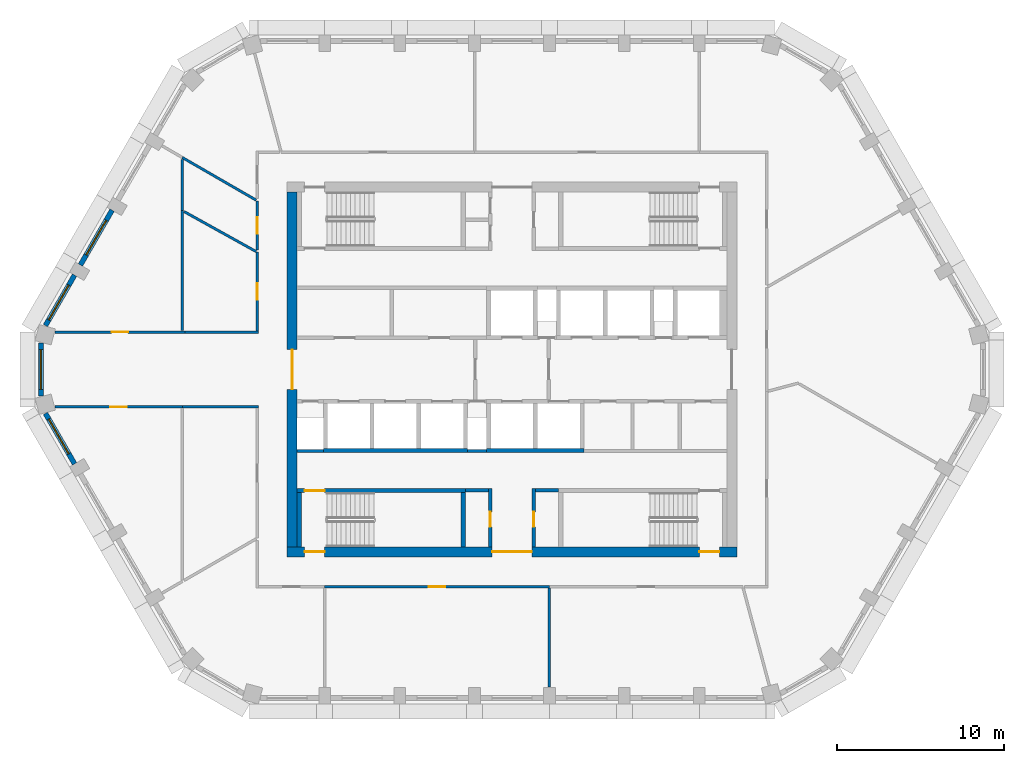
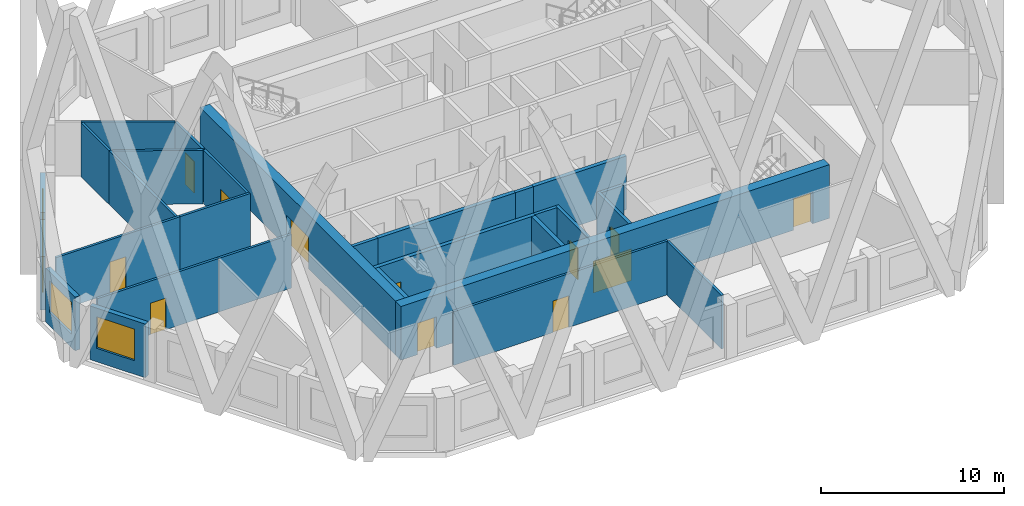
# One storey, part 2 of 13: 29 walls, 12 doors, 4 windows, 16 openings.
"""IFC4 building model written with IfcOpenShell, lengths in metres."""

from ifc_helpers import new_model, si_unit, direction, frame, frame_2d, origin, place, context, subcontext, project, spatial, polyline, rectangle, outline, extrude, material, layer, layer_set, type_object, element, fill, save


model = new_model("IFC4")

# Units and contexts
model_context = context("Model", 3, precision=1e-05, world=origin(), true_north=direction((0.0, 1.0)))
body_context = subcontext(model_context, "Body", "Model", "MODEL_VIEW")
ifc_project = project(units=[si_unit("LENGTHUNIT", "METRE"), si_unit("AREAUNIT", "SQUARE_METRE"), si_unit("VOLUMEUNIT", "CUBIC_METRE"), si_unit("PLANEANGLEUNIT", "RADIAN"), si_unit("MASSUNIT", "GRAM", prefix="KILO")], contexts=[model_context])

# Site, building, storey
site_placement = place(None, origin())
site = spatial("IfcSite", under=ifc_project, at=site_placement, CompositionType="ELEMENT")
building_placement = place(site_placement, origin())
building = spatial("IfcBuilding", under=site, at=building_placement, Name="Dhurran Vertical Campus", CompositionType="ELEMENT")
storey_placement = place(building_placement, frame((0.0, 0.0, 258.60009765625)))
storey = spatial("IfcBuildingStorey", under=building, at=storey_placement, Name="L64", CompositionType="ELEMENT", Elevation=258.60009765625)

# Wall, opening, window
ifc_material_1 = material(Name="Precast concrete C50/60", Category="concrete")
ifc_layer_1 = layer(ifc_material_1, 0.300048828125)
ifc_layer_set_1 = layer_set([ifc_layer_1], Name="Precast concrete C50/60")
wall_type_1 = type_object("IfcWallType", Name="Precast spandrel wall 300", PredefinedType="SOLIDWALL", material=ifc_layer_set_1)
wall_1_placement = place(storey_placement, frame((-24.019287109375, 9.565673828125, 0.0), z_axis=(0.0, 0.0, 1.0), x_axis=(-0.499982058975, -0.866035761792, 0.0)))
wall_1 = element("IfcWall", 1, at=wall_1_placement, inside=storey, type_object=wall_type_1, Name="EW1 L64.28", PredefinedType="SOLIDWALL", context=body_context, shape_type="SweptSolid", body=[
    extrude(rectangle(XDim=3.799072265625, YDim=0.300048828125, at=frame_2d((1.8994140625, 0.0))), origin(), (0.0, 0.0, 1.0), 3.574951171875),
])
opening_1_placement = place(wall_1_placement, frame((0.699462890625, 0.0, 0.89990234375)))
opening_1 = element("IfcOpeningElement", 2, at=opening_1_placement, cuts=wall_1, Name="Opening WT1", PredefinedType="OPENING", context=body_context, shape_type="SweptSolid", body=[
    extrude(rectangle(XDim=2.39990234375, YDim=2.10009765625, at=frame_2d((1.199951171875, 1.050048828125))), frame((0.0, 0.159912109375, 0.0), z_axis=(0.0, -1.0, 0.0), x_axis=(1.0, 0.0, 0.0)), (0.0, 0.0, 1.0), 0.320068359375),
])
ifc_material_2 = material(Name="Aluminium frame with solar-control glass", Category="aluminium")
window_type = type_object("IfcWindowType", Name="Punched window 2400 x 2100", PartitioningType="SINGLE_PANEL", PredefinedType="WINDOW", material=ifc_material_2)
window_1_placement = place(opening_1_placement, origin())
window_1 = element("IfcWindow", 3, at=window_1_placement, inside=storey, type_object=window_type, Name="WT1 L64.28", OverallHeight=2.10009765625, OverallWidth=2.39990234375, PartitioningType="SINGLE_PANEL", PredefinedType="WINDOW", context=body_context, shape_type="SweptSolid", body=[
    extrude(rectangle(XDim=2.39990234375, YDim=2.10009765625, at=frame_2d((1.199951171875, 1.050048828125))), frame((0.0, 0.030029296875, 0.0), z_axis=(0.0, -1.0, 0.0), x_axis=(1.0, 0.0, 0.0)), (0.0, 0.0, 1.0), 0.06005859375),
])
fill(opening_1, window_1)

wall_2_placement = place(storey_placement, frame((-26.269287109375, 5.668701171875, 0.0), z_axis=(0.0, 0.0, 1.0), x_axis=(-0.499990325971, -0.866030989016, 0.0)))
wall_2 = element("IfcWall", 4, at=wall_2_placement, inside=storey, type_object=wall_type_1, Name="EW1 L64.29", PredefinedType="SOLIDWALL", context=body_context, shape_type="SweptSolid", body=[
    extrude(rectangle(XDim=3.49755859375, YDim=0.300048828125, at=frame_2d((1.748779296875, 0.0))), origin(), (0.0, 0.0, 1.0), 3.574951171875),
])
opening_2_placement = place(wall_2_placement, frame((0.699462890625, 0.0, 0.89990234375)))
opening_2 = element("IfcOpeningElement", 5, at=opening_2_placement, cuts=wall_2, Name="Opening WT1", PredefinedType="OPENING", context=body_context, shape_type="SweptSolid", body=[
    extrude(rectangle(XDim=2.39990234375, YDim=2.10009765625, at=frame_2d((1.199951171875, 1.050048828125))), frame((0.0, 0.159912109375, 0.0), z_axis=(0.0, -1.0, 0.0), x_axis=(1.0, 0.0, 0.0)), (0.0, 0.0, 1.0), 0.320068359375),
])
window_2_placement = place(opening_2_placement, origin())
window_2 = element("IfcWindow", 6, at=window_2_placement, inside=storey, type_object=window_type, Name="WT1 L64.29", OverallHeight=2.10009765625, OverallWidth=2.39990234375, PartitioningType="SINGLE_PANEL", PredefinedType="WINDOW", context=body_context, shape_type="SweptSolid", body=[
    extrude(rectangle(XDim=2.39990234375, YDim=2.10009765625, at=frame_2d((1.199951171875, 1.050048828125))), frame((0.0, 0.030029296875, 0.0), z_axis=(0.0, -1.0, 0.0), x_axis=(1.0, 0.0, 0.0)), (0.0, 0.0, 1.0), 0.06005859375),
])
fill(opening_2, window_2)

wall_3_placement = place(storey_placement, frame((-28.297119140625, 1.59814453125, 0.0), z_axis=(0.0, 0.0, 1.0), x_axis=(0.0, -1.0, 0.0)))
wall_3 = element("IfcWall", 7, at=wall_3_placement, inside=storey, type_object=wall_type_1, Name="EW1 L64.30", PredefinedType="SOLIDWALL", context=body_context, shape_type="SweptSolid", body=[
    extrude(rectangle(XDim=3.1962890625, YDim=0.300048828125, at=frame_2d((1.59814453125, 0.0))), origin(), (0.0, 0.0, 1.0), 3.574951171875),
])
opening_3_placement = place(wall_3_placement, frame((0.398193359375, 0.0, 0.89990234375)))
opening_3 = element("IfcOpeningElement", 8, at=opening_3_placement, cuts=wall_3, Name="Opening WT1", PredefinedType="OPENING", context=body_context, shape_type="SweptSolid", body=[
    extrude(rectangle(XDim=2.39990234375, YDim=2.10009765625, at=frame_2d((1.199951171875, 1.050048828125))), frame((0.0, 0.159912109375, 0.0), z_axis=(0.0, -1.0, 0.0), x_axis=(1.0, 0.0, 0.0)), (0.0, 0.0, 1.0), 0.320068359375),
])
window_3_placement = place(opening_3_placement, origin())
window_3 = element("IfcWindow", 9, at=window_3_placement, inside=storey, type_object=window_type, Name="WT1 L64.30", OverallHeight=2.10009765625, OverallWidth=2.39990234375, PartitioningType="SINGLE_PANEL", PredefinedType="WINDOW", context=body_context, shape_type="SweptSolid", body=[
    extrude(rectangle(XDim=2.39990234375, YDim=2.10009765625, at=frame_2d((1.199951171875, 1.050048828125))), frame((0.0, 0.030029296875, 0.0), z_axis=(0.0, -1.0, 0.0), x_axis=(1.0, 0.0, 0.0)), (0.0, 0.0, 1.0), 0.06005859375),
])
fill(opening_3, window_3)

wall_4_placement = place(storey_placement, frame((-28.01806640625, -2.6396484375, 0.0), z_axis=(0.0, 0.0, 1.0), x_axis=(0.499990325971, -0.866030989016, 0.0)))
wall_4 = element("IfcWall", 10, at=wall_4_placement, inside=storey, type_object=wall_type_1, Name="EW1 L64.31", PredefinedType="SOLIDWALL", context=body_context, shape_type="SweptSolid", body=[
    extrude(rectangle(XDim=3.49755859375, YDim=0.300048828125, at=frame_2d((1.748779296875, 0.0))), origin(), (0.0, 0.0, 1.0), 3.574951171875),
])
opening_4_placement = place(wall_4_placement, frame((0.398193359375, 0.0, 0.89990234375)))
opening_4 = element("IfcOpeningElement", 11, at=opening_4_placement, cuts=wall_4, Name="Opening WT1", PredefinedType="OPENING", context=body_context, shape_type="SweptSolid", body=[
    extrude(rectangle(XDim=2.39990234375, YDim=2.10009765625, at=frame_2d((1.199951171875, 1.050048828125))), frame((0.0, 0.159912109375, 0.0), z_axis=(0.0, -1.0, 0.0), x_axis=(1.0, 0.0, 0.0)), (0.0, 0.0, 1.0), 0.320068359375),
])
window_4_placement = place(opening_4_placement, origin())
window_4 = element("IfcWindow", 12, at=window_4_placement, inside=storey, type_object=window_type, Name="WT1 L64.31", OverallHeight=2.10009765625, OverallWidth=2.39990234375, PartitioningType="SINGLE_PANEL", PredefinedType="WINDOW", context=body_context, shape_type="SweptSolid", body=[
    extrude(rectangle(XDim=2.39990234375, YDim=2.10009765625, at=frame_2d((1.199951171875, 1.050048828125))), frame((0.0, 0.030029296875, 0.0), z_axis=(0.0, -1.0, 0.0), x_axis=(1.0, 0.0, 0.0)), (0.0, 0.0, 1.0), 0.06005859375),
])
fill(opening_4, window_4)

# Wall, openings, doors
ifc_material_3 = material(Name="Concrete C50/60", Category="concrete")
ifc_layer_2 = layer(ifc_material_3, 0.60009765625)
ifc_layer_set_2 = layer_set([ifc_layer_2], Name="Concrete C50/60")
wall_type_2 = type_object("IfcWallType", Name="co-CORE-WALL-C2-600", PredefinedType="SHEAR", material=ifc_layer_set_2)
wall_5_placement = place(storey_placement, frame((-13.5, -10.949951171875, 0.0), z_axis=(0.0, 0.0, 1.0), x_axis=(1.0, 0.0, 0.0)))
wall_5 = element("IfcWall", 13, at=wall_5_placement, inside=storey, type_object=wall_type_2, Name="Core wall S L64", PredefinedType="SHEAR", context=body_context, shape_type="SweptSolid", body=[
    extrude(rectangle(XDim=27.0, YDim=0.60009765625, at=frame_2d((13.5, 0.0))), origin(), (0.0, 0.0, 1.0), 3.574951171875),
])
opening_5_placement = place(wall_5_placement, frame((12.300048828125, 0.0, 0.0)))
opening_5 = element("IfcOpeningElement", 14, at=opening_5_placement, cuts=wall_5, Name="Opening CV2", PredefinedType="OPENING", context=body_context, shape_type="SweptSolid", body=[
    extrude(rectangle(XDim=2.39990234375, YDim=2.10009765625, at=frame_2d((1.199951171875, 1.050048828125))), frame((0.0, 0.31005859375, 0.0), z_axis=(0.0, -1.0, 0.0), x_axis=(1.0, 0.0, 0.0)), (0.0, 0.0, 1.0), 0.6201171875),
])
opening_6_placement = place(wall_5_placement, frame((1.050048828125, 0.0, 0.0)))
opening_6 = element("IfcOpeningElement", 15, at=opening_6_placement, cuts=wall_5, Name="Opening XD3", PredefinedType="OPENING", context=body_context, shape_type="SweptSolid", body=[
    extrude(rectangle(XDim=1.199951171875, YDim=2.10009765625, at=frame_2d((0.60009765625, 1.050048828125))), frame((0.0, 0.31005859375, 0.0), z_axis=(0.0, -1.0, 0.0), x_axis=(1.0, 0.0, 0.0)), (0.0, 0.0, 1.0), 0.6201171875),
])
opening_7_placement = place(wall_5_placement, frame((24.75, 0.0, 0.0)))
opening_7 = element("IfcOpeningElement", 16, at=opening_7_placement, cuts=wall_5, Name="Opening XD4", PredefinedType="OPENING", context=body_context, shape_type="SweptSolid", body=[
    extrude(rectangle(XDim=1.199951171875, YDim=2.10009765625, at=frame_2d((0.60009765625, 1.050048828125))), frame((0.0, 0.31005859375, 0.0), z_axis=(0.0, -1.0, 0.0), x_axis=(1.0, 0.0, 0.0)), (0.0, 0.0, 1.0), 0.6201171875),
])
ifc_material_4 = material(Name="Fire-rated glazed door set")
door_type_1 = type_object("IfcDoorType", Name="co-D-LOBBY 2400x2100", OperationType="DOUBLE_DOOR_DOUBLE_SWING", PredefinedType="DOOR", material=ifc_material_4)
door_1_placement = place(opening_5_placement, origin())
door_1 = element("IfcDoor", 17, at=door_1_placement, inside=storey, type_object=door_type_1, Name="Core vestibule door S L64", OperationType="DOUBLE_DOOR_DOUBLE_SWING", OverallHeight=2.10009765625, OverallWidth=2.39990234375, PredefinedType="DOOR", context=body_context, shape_type="SweptSolid", body=[
    extrude(rectangle(XDim=2.39990234375, YDim=2.10009765625, at=frame_2d((1.199951171875, 1.050048828125))), frame((0.0, 0.02490234375, 0.0), z_axis=(0.0, -1.0, 0.0), x_axis=(1.0, 0.0, 0.0)), (0.0, 0.0, 1.0), 0.050048828125),
])
fill(opening_5, door_1)
ifc_material_5 = material(Name="Fire-rated steel door set", Category="steel")
door_type_2 = type_object("IfcDoorType", Name="co-D-STAIR-EXIT 1200x2100", OperationType="SINGLE_SWING_RIGHT", PredefinedType="DOOR", material=ifc_material_5)
door_2_placement = place(opening_6_placement, origin())
door_2 = element("IfcDoor", 18, at=door_2_placement, inside=storey, type_object=door_type_2, Name="Stair ST3 exit door L64", OperationType="SINGLE_SWING_RIGHT", OverallHeight=2.10009765625, OverallWidth=1.199951171875, PredefinedType="DOOR", context=body_context, shape_type="SweptSolid", body=[
    extrude(rectangle(XDim=1.199951171875, YDim=2.10009765625, at=frame_2d((0.60009765625, 1.050048828125))), frame((0.0, 0.02490234375, 0.0), z_axis=(0.0, -1.0, 0.0), x_axis=(1.0, 0.0, 0.0)), (0.0, 0.0, 1.0), 0.050048828125),
])
fill(opening_6, door_2)
door_3_placement = place(opening_7_placement, origin())
door_3 = element("IfcDoor", 19, at=door_3_placement, inside=storey, type_object=door_type_2, Name="Stair ST4 exit door L64", OperationType="SINGLE_SWING_RIGHT", OverallHeight=2.10009765625, OverallWidth=1.199951171875, PredefinedType="DOOR", context=body_context, shape_type="SweptSolid", body=[
    extrude(rectangle(XDim=1.199951171875, YDim=2.10009765625, at=frame_2d((0.60009765625, 1.050048828125))), frame((0.0, 0.02490234375, 0.0), z_axis=(0.0, -1.0, 0.0), x_axis=(1.0, 0.0, 0.0)), (0.0, 0.0, 1.0), 0.050048828125),
])
fill(opening_7, door_3)

# Wall, opening, door
wall_6_placement = place(storey_placement, frame((-13.199951171875, -10.64990234375, 0.0), z_axis=(0.0, 0.0, 1.0), x_axis=(0.0, 1.0, 0.0)))
wall_6 = element("IfcWall", 20, at=wall_6_placement, inside=storey, type_object=wall_type_2, Name="Core wall W L64", PredefinedType="SHEAR", context=body_context, shape_type="SweptSolid", body=[
    extrude(rectangle(XDim=21.2998046875, YDim=0.60009765625, at=frame_2d((10.64990234375, 0.0))), origin(), (0.0, 0.0, 1.0), 3.574951171875),
])
opening_8_placement = place(wall_6_placement, frame((9.449951171875, 0.0, 0.0)))
opening_8 = element("IfcOpeningElement", 21, at=opening_8_placement, cuts=wall_6, Name="Opening CL1", PredefinedType="OPENING", context=body_context, shape_type="SweptSolid", body=[
    extrude(rectangle(XDim=2.39990234375, YDim=2.10009765625, at=frame_2d((1.199951171875, 1.050048828125))), frame((0.0, 0.31005859375, 0.0), z_axis=(0.0, -1.0, 0.0), x_axis=(1.0, 0.0, 0.0)), (0.0, 0.0, 1.0), 0.6201171875),
])
door_4_placement = place(opening_8_placement, origin())
door_4 = element("IfcDoor", 22, at=door_4_placement, inside=storey, type_object=door_type_1, Name="Lift lobby door W L64", OperationType="DOUBLE_DOOR_DOUBLE_SWING", OverallHeight=2.10009765625, OverallWidth=2.39990234375, PredefinedType="DOOR", context=body_context, shape_type="SweptSolid", body=[
    extrude(rectangle(XDim=2.39990234375, YDim=2.10009765625, at=frame_2d((1.199951171875, 1.050048828125))), frame((0.0, 0.02490234375, 0.0), z_axis=(0.0, -1.0, 0.0), x_axis=(1.0, 0.0, 0.0)), (0.0, 0.0, 1.0), 0.050048828125),
])
fill(opening_8, door_4)

# Walls
ifc_material_6 = material(Name="Fire-rated masonry blockwork", Category="masonry")
ifc_layer_3 = layer(ifc_material_6, 0.199951171875)
ifc_layer_set_3 = layer_set([ifc_layer_3], Name="Fire-rated masonry blockwork")
wall_type_3 = type_object("IfcWallType", Name="co-FIRE-PARTITION-200", PredefinedType="PARTITIONING", material=ifc_layer_set_3)
for number, where, z_axis, x_axis, name in (
    (23, (-2.800048828125, -7.25, 0.0), (0.0, 0.0, 1.0), (1.0, 0.0, 0.0), "Core partition sl-SW-S L64"),
    (24, (1.39990234375, -7.25, 0.0), (0.0, 0.0, 1.0), (1.0, 0.0, 0.0), "Core partition sl-SE-S L64"),
):
    element("IfcWall", number, at=place(storey_placement, frame(where, z_axis=z_axis, x_axis=x_axis)), inside=storey, type_object=wall_type_3, Name=name, PredefinedType="PARTITIONING", context=body_context, shape_type="SweptSolid", body=[
        extrude(rectangle(XDim=1.400146484375, YDim=0.199951171875, at=frame_2d((0.7001953125, 0.0))), origin(), (0.0, 0.0, 1.0), 3.574951171875),
    ])

# Wall, opening, door
wall_7_placement = place(storey_placement, frame((-1.300048828125, -10.64990234375, 0.0), z_axis=(0.0, 0.0, 1.0), x_axis=(0.0, 1.0, 0.0)))
wall_7 = element("IfcWall", 25, at=wall_7_placement, inside=storey, type_object=wall_type_3, Name="Core partition vest-SW L64", PredefinedType="PARTITIONING", context=body_context, shape_type="SweptSolid", body=[
    extrude(rectangle(XDim=3.5, YDim=0.199951171875, at=frame_2d((1.75, 0.0))), origin(), (0.0, 0.0, 1.0), 3.574951171875),
])
opening_9_placement = place(wall_7_placement, frame((1.199951171875, 0.0, 0.0)))
opening_9 = element("IfcOpeningElement", 26, at=opening_9_placement, cuts=wall_7, Name="Opening T19-C1", PredefinedType="OPENING", context=body_context, shape_type="SweptSolid", body=[
    extrude(rectangle(XDim=0.89990234375, YDim=2.10009765625, at=frame_2d((0.449951171875, 1.050048828125))), frame((0.0, 0.10986328125, 0.0), z_axis=(0.0, -1.0, 0.0), x_axis=(1.0, 0.0, 0.0)), (0.0, 0.0, 1.0), 0.219970703125),
])
ifc_material_7 = material(Name="Fire-rated timber door set", Category="wood")
door_type_3 = type_object("IfcDoorType", Name="co-D-ROOM 900x2100", OperationType="SINGLE_SWING_LEFT", PredefinedType="DOOR", material=ifc_material_7)
door_5_placement = place(opening_9_placement, origin())
door_5 = element("IfcDoor", 27, at=door_5_placement, inside=storey, type_object=door_type_3, Name="Cleaner's store door L64", OperationType="SINGLE_SWING_LEFT", OverallHeight=2.10009765625, OverallWidth=0.89990234375, PredefinedType="DOOR", context=body_context, shape_type="SweptSolid", body=[
    extrude(rectangle(XDim=0.89990234375, YDim=2.10009765625, at=frame_2d((0.449951171875, 1.050048828125))), frame((0.0, 0.02490234375, 0.0), z_axis=(0.0, -1.0, 0.0), x_axis=(1.0, 0.0, 0.0)), (0.0, 0.0, 1.0), 0.050048828125),
])
fill(opening_9, door_5)

wall_8_placement = place(storey_placement, frame((1.300048828125, -10.64990234375, 0.0), z_axis=(0.0, 0.0, 1.0), x_axis=(0.0, 1.0, 0.0)))
wall_8 = element("IfcWall", 28, at=wall_8_placement, inside=storey, type_object=wall_type_3, Name="Core partition vest-SE L64", PredefinedType="PARTITIONING", context=body_context, shape_type="SweptSolid", body=[
    extrude(rectangle(XDim=3.5, YDim=0.199951171875, at=frame_2d((1.75, 0.0))), origin(), (0.0, 0.0, 1.0), 3.574951171875),
])
opening_10_placement = place(wall_8_placement, frame((1.199951171875, 0.0, 0.0)))
opening_10 = element("IfcOpeningElement", 29, at=opening_10_placement, cuts=wall_8, Name="Opening T19-C2", PredefinedType="OPENING", context=body_context, shape_type="SweptSolid", body=[
    extrude(rectangle(XDim=0.89990234375, YDim=2.10009765625, at=frame_2d((0.449951171875, 1.050048828125))), frame((0.0, 0.10986328125, 0.0), z_axis=(0.0, -1.0, 0.0), x_axis=(1.0, 0.0, 0.0)), (0.0, 0.0, 1.0), 0.219970703125),
])
door_6_placement = place(opening_10_placement, origin())
door_6 = element("IfcDoor", 30, at=door_6_placement, inside=storey, type_object=door_type_3, Name="Communications room door L64", OperationType="SINGLE_SWING_LEFT", OverallHeight=2.10009765625, OverallWidth=0.89990234375, PredefinedType="DOOR", context=body_context, shape_type="SweptSolid", body=[
    extrude(rectangle(XDim=0.89990234375, YDim=2.10009765625, at=frame_2d((0.449951171875, 1.050048828125))), frame((0.0, 0.02490234375, 0.0), z_axis=(0.0, -1.0, 0.0), x_axis=(1.0, 0.0, 0.0)), (0.0, 0.0, 1.0), 0.050048828125),
])
fill(opening_10, door_6)

# Walls
wall_9_placement = place(storey_placement, frame((-12.89990234375, -4.89990234375, 0.0), z_axis=(0.0, 0.0, 1.0), x_axis=(1.0, 0.0, 0.0)))
element("IfcWall", 31, at=wall_9_placement, inside=storey, type_object=wall_type_3, Name="Core partition fr-S0-b L64", PredefinedType="PARTITIONING", context=body_context, shape_type="SweptSolid", body=[
    extrude(rectangle(XDim=1.574951171875, YDim=0.199951171875, at=frame_2d((0.78759765625, 0.0))), origin(), (0.0, 0.0, 1.0), 3.574951171875),
])
wall_10_placement = place(storey_placement, frame((-2.675048828125, -4.89990234375, 0.0), z_axis=(0.0, 0.0, 1.0), x_axis=(1.0, 0.0, 0.0)))
element("IfcWall", 32, at=wall_10_placement, inside=storey, type_object=wall_type_3, Name="Core partition fr-S1-b L64", PredefinedType="PARTITIONING", context=body_context, shape_type="SweptSolid", body=[
    extrude(rectangle(XDim=1.150146484375, YDim=0.199951171875, at=frame_2d((0.5751953125, 0.0))), origin(), (0.0, 0.0, 1.0), 3.574951171875),
])
ifc_material_8 = material(Name="Concrete C50/60", Category="concrete")
ifc_layer_4 = layer(ifc_material_8, 0.25)
ifc_layer_set_4 = layer_set([ifc_layer_4], Name="Concrete C50/60")
wall_type_4 = type_object("IfcWallType", Name="co-SHAFT-MASS-250", PredefinedType="SHEAR", material=ifc_layer_set_4)
wall_11_placement = place(storey_placement, origin())
element("IfcWall", 33, at=wall_11_placement, inside=storey, type_object=wall_type_4, Name="Lift shaft wall S L64 1", PredefinedType="SHEAR", context=body_context, shape_type="SweptSolid", body=[
    extrude(outline(polyline([(-11.324951171875, -5.0), (-2.675048828125, -5.0), (-2.675048828125, -4.75), (-11.324951171875, -4.75), (-11.324951171875, -5.0)])), origin(), (0.0, 0.0, 1.0), 3.574951171875),
])
wall_12_placement = place(storey_placement, origin())
element("IfcWall", 34, at=wall_12_placement, inside=storey, type_object=wall_type_4, Name="Lift shaft wall S L64 2", PredefinedType="SHEAR", context=body_context, shape_type="SweptSolid", body=[
    extrude(outline(polyline([(-1.52490234375, -5.0), (4.324951171875, -5.0), (4.324951171875, -4.75), (-1.52490234375, -4.75), (-1.52490234375, -5.0)])), origin(), (0.0, 0.0, 1.0), 3.574951171875),
])

# Wall, opening, door
ifc_material_9 = material(Name="Concrete C40/50", Category="concrete")
ifc_layer_5 = layer(ifc_material_9, 0.25)
ifc_layer_set_5 = layer_set([ifc_layer_5], Name="Concrete C40/50")
wall_type_5 = type_object("IfcWallType", Name="co-STAIR-WALL-250", PredefinedType="SHEAR", material=ifc_layer_set_5)
wall_13_placement = place(storey_placement, frame((-12.89990234375, -7.27490234375, 0.0), z_axis=(0.0, 0.0, 1.0), x_axis=(1.0, 0.0, 0.0)))
wall_13 = element("IfcWall", 35, at=wall_13_placement, inside=storey, type_object=wall_type_5, Name="Stair ST3 enclosure wall L64", PredefinedType="SHEAR", context=body_context, shape_type="SweptSolid", body=[
    extrude(rectangle(XDim=10.099853515625, YDim=0.25, at=frame_2d((5.0498046875, 0.0))), origin(), (0.0, 0.0, 1.0), 3.574951171875),
])
opening_11_placement = place(wall_13_placement, frame((0.449951171875, 0.0, 0.0)))
opening_11 = element("IfcOpeningElement", 36, at=opening_11_placement, cuts=wall_13, Name="Opening SD3", PredefinedType="OPENING", context=body_context, shape_type="SweptSolid", body=[
    extrude(rectangle(XDim=1.199951171875, YDim=2.10009765625, at=frame_2d((0.60009765625, 1.050048828125))), frame((0.0, 0.135009765625, 0.0), z_axis=(0.0, -1.0, 0.0), x_axis=(1.0, 0.0, 0.0)), (0.0, 0.0, 1.0), 0.27001953125),
])
ifc_material_10 = material(Name="Fire-rated steel door set", Category="steel")
door_type_4 = type_object("IfcDoorType", Name="co-D-STAIR 1200x2100", OperationType="SINGLE_SWING_LEFT", PredefinedType="DOOR", material=ifc_material_10)
door_7_placement = place(opening_11_placement, origin())
door_7 = element("IfcDoor", 37, at=door_7_placement, inside=storey, type_object=door_type_4, Name="Stair ST3 door L64", OperationType="SINGLE_SWING_LEFT", OverallHeight=2.10009765625, OverallWidth=1.199951171875, PredefinedType="DOOR", context=body_context, shape_type="SweptSolid", body=[
    extrude(rectangle(XDim=1.199951171875, YDim=2.10009765625, at=frame_2d((0.60009765625, 1.050048828125))), frame((0.0, 0.02490234375, 0.0), z_axis=(0.0, -1.0, 0.0), x_axis=(1.0, 0.0, 0.0)), (0.0, 0.0, 1.0), 0.050048828125),
])
fill(opening_11, door_7)

# Walls
for number, where, z_axis, x_axis, name in (
    (38, (-12.77490234375, -10.64990234375, 0.0), (0.0, 0.0, 1.0), (0.0, 1.0, 0.0), "Stair ST3 enclosure wall L64"),
    (39, (-2.925048828125, -10.64990234375, 0.0), (0.0, 0.0, 1.0), (0.0, 1.0, 0.0), "Stair ST3 enclosure wall L64"),
):
    element("IfcWall", number, at=place(storey_placement, frame(where, z_axis=z_axis, x_axis=x_axis)), inside=storey, type_object=wall_type_5, Name=name, PredefinedType="SHEAR", context=body_context, shape_type="SweptSolid", body=[
        extrude(rectangle(XDim=3.25, YDim=0.25, at=frame_2d((1.625, 0.0))), origin(), (0.0, 0.0, 1.0), 3.574951171875),
    ])

# Wall, opening, door
ifc_material_11 = material(Name="Gypsum board corridor wall on steel studs", Category="steel")
ifc_layer_6 = layer(ifc_material_11, 0.14990234375)
ifc_layer_set_6 = layer_set([ifc_layer_6], Name="Gypsum board corridor wall on steel studs")
wall_type_6 = type_object("IfcWallType", Name="fl-CW-150 corridor wall", PredefinedType="PARTITIONING", material=ifc_layer_set_6)
wall_14_placement = place(storey_placement, frame((-19.800048828125, -2.25, 0.0), z_axis=(0.0, 0.0, 1.0), x_axis=(-1.0, 0.0, 0.0)))
wall_14 = element("IfcWall", 40, at=wall_14_placement, inside=storey, type_object=wall_type_6, Name="Partition 64-01", PredefinedType="PARTITIONING", context=body_context, shape_type="SweptSolid", body=[
    extrude(rectangle(XDim=7.65234375, YDim=0.14990234375, at=frame_2d((3.826171875, 0.0))), origin(), (0.0, 0.0, 1.0), 3.574951171875),
])
opening_12_placement = place(wall_14_placement, frame((3.326171875, 0.0, 0.0)))
opening_12 = element("IfcOpeningElement", 41, at=opening_12_placement, cuts=wall_14, Name="Opening T19.01", PredefinedType="OPENING", context=body_context, shape_type="SweptSolid", body=[
    extrude(rectangle(XDim=1.0, YDim=2.10009765625, at=frame_2d((0.5, 1.050048828125))), frame((0.0, 0.0849609375, 0.0), z_axis=(0.0, -1.0, 0.0), x_axis=(1.0, 0.0, 0.0)), (0.0, 0.0, 1.0), 0.169921875),
])
ifc_material_12 = material(Name="Solid-core timber door set, fire-rated", Category="wood")
door_type_5 = type_object("IfcDoorType", Name="fl-D-1000x2100", OperationType="SINGLE_SWING_LEFT", PredefinedType="DOOR", material=ifc_material_12)
door_8_placement = place(opening_12_placement, origin())
door_8 = element("IfcDoor", 42, at=door_8_placement, inside=storey, type_object=door_type_5, Name="Door 64.01", OperationType="SINGLE_SWING_RIGHT", OverallHeight=2.10009765625, OverallWidth=1.0, PredefinedType="DOOR", context=body_context, shape_type="SweptSolid", body=[
    extrude(rectangle(XDim=1.0, YDim=2.10009765625, at=frame_2d((0.5, 1.050048828125))), frame((0.0, 0.02490234375, 0.0), z_axis=(0.0, -1.0, 0.0), x_axis=(1.0, 0.0, 0.0)), (0.0, 0.0, 1.0), 0.050048828125),
])
fill(opening_12, door_8)

wall_15_placement = place(storey_placement, frame((-27.452392578125, 2.25, 0.0), z_axis=(0.0, 0.0, 1.0), x_axis=(1.0, 0.0, 0.0)))
wall_15 = element("IfcWall", 43, at=wall_15_placement, inside=storey, type_object=wall_type_6, Name="Partition 64-02", PredefinedType="PARTITIONING", context=body_context, shape_type="SweptSolid", body=[
    extrude(rectangle(XDim=7.805419921875, YDim=0.14990234375, at=frame_2d((3.90283203125, 0.0))), origin(), (0.0, 0.0, 1.0), 3.574951171875),
])
opening_13_placement = place(wall_15_placement, frame((3.402587890625, 0.0, 0.0)))
opening_13 = element("IfcOpeningElement", 44, at=opening_13_placement, cuts=wall_15, Name="Opening T19.02", PredefinedType="OPENING", context=body_context, shape_type="SweptSolid", body=[
    extrude(rectangle(XDim=1.0, YDim=2.10009765625, at=frame_2d((0.5, 1.050048828125))), frame((0.0, 0.0849609375, 0.0), z_axis=(0.0, -1.0, 0.0), x_axis=(1.0, 0.0, 0.0)), (0.0, 0.0, 1.0), 0.169921875),
])
door_9_placement = place(opening_13_placement, origin())
door_9 = element("IfcDoor", 45, at=door_9_placement, inside=storey, type_object=door_type_5, Name="Door 64.02", OperationType="SINGLE_SWING_RIGHT", OverallHeight=2.10009765625, OverallWidth=1.0, PredefinedType="DOOR", context=body_context, shape_type="SweptSolid", body=[
    extrude(rectangle(XDim=1.0, YDim=2.10009765625, at=frame_2d((0.5, 1.050048828125))), frame((0.0, 0.02490234375, 0.0), z_axis=(0.0, -1.0, 0.0), x_axis=(1.0, 0.0, 0.0)), (0.0, 0.0, 1.0), 0.050048828125),
])
fill(opening_13, door_9)

# Walls
wall_16_placement = place(storey_placement, frame((-15.22509765625, -2.25, 0.0), z_axis=(0.0, 0.0, 1.0), x_axis=(-1.0, 0.0, 0.0)))
element("IfcWall", 46, at=wall_16_placement, inside=storey, type_object=wall_type_6, Name="Partition 64-07", PredefinedType="PARTITIONING", context=body_context, shape_type="SweptSolid", body=[
    extrude(rectangle(XDim=4.574951171875, YDim=0.14990234375, at=frame_2d((2.28759765625, 0.0))), origin(), (0.0, 0.0, 1.0), 3.574951171875),
])
wall_17_placement = place(storey_placement, frame((-19.64697265625, 2.25, 0.0), z_axis=(0.0, 0.0, 1.0), x_axis=(1.0, 0.0, 0.0)))
element("IfcWall", 47, at=wall_17_placement, inside=storey, type_object=wall_type_6, Name="Partition 64-12", PredefinedType="PARTITIONING", context=body_context, shape_type="SweptSolid", body=[
    extrude(rectangle(XDim=4.421875, YDim=0.14990234375, at=frame_2d((2.2109375, 0.0))), origin(), (0.0, 0.0, 1.0), 3.574951171875),
])

# Wall, opening, door
wall_18_placement = place(storey_placement, frame((-15.300048828125, 7.0439453125, 0.0), z_axis=(0.0, 0.0, 1.0), x_axis=(0.0, -1.0, 0.0)))
wall_18 = element("IfcWall", 48, at=wall_18_placement, inside=storey, type_object=wall_type_6, Name="Partition 64-17", PredefinedType="PARTITIONING", context=body_context, shape_type="SweptSolid", body=[
    extrude(rectangle(XDim=4.718994140625, YDim=0.14990234375, at=frame_2d((2.359375, 0.0))), origin(), (0.0, 0.0, 1.0), 3.574951171875),
])
opening_14_placement = place(wall_18_placement, frame((1.859619140625, 0.0, 0.0)))
opening_14 = element("IfcOpeningElement", 49, at=opening_14_placement, cuts=wall_18, Name="Opening T19.03", PredefinedType="OPENING", context=body_context, shape_type="SweptSolid", body=[
    extrude(rectangle(XDim=1.0, YDim=2.10009765625, at=frame_2d((0.5, 1.050048828125))), frame((0.0, 0.0849609375, 0.0), z_axis=(0.0, -1.0, 0.0), x_axis=(1.0, 0.0, 0.0)), (0.0, 0.0, 1.0), 0.169921875),
])
door_10_placement = place(opening_14_placement, origin())
door_10 = element("IfcDoor", 50, at=door_10_placement, inside=storey, type_object=door_type_5, Name="Door 64.03", OperationType="SINGLE_SWING_LEFT", OverallHeight=2.10009765625, OverallWidth=1.0, PredefinedType="DOOR", context=body_context, shape_type="SweptSolid", body=[
    extrude(rectangle(XDim=1.0, YDim=2.10009765625, at=frame_2d((0.5, 1.050048828125))), frame((0.0, 0.02490234375, 0.0), z_axis=(0.0, -1.0, 0.0), x_axis=(1.0, 0.0, 0.0)), (0.0, 0.0, 1.0), 0.050048828125),
])
fill(opening_14, door_10)

wall_19_placement = place(storey_placement, frame((-15.300048828125, 10.132080078125, 0.0), z_axis=(0.0, 0.0, 1.0), x_axis=(0.0, -1.0, 0.0)))
wall_19 = element("IfcWall", 51, at=wall_19_placement, inside=storey, type_object=wall_type_6, Name="Partition 64-18", PredefinedType="PARTITIONING", context=body_context, shape_type="SweptSolid", body=[
    extrude(rectangle(XDim=2.963134765625, YDim=0.14990234375, at=frame_2d((1.4814453125, 0.0))), origin(), (0.0, 0.0, 1.0), 3.574951171875),
])
opening_15_placement = place(wall_19_placement, frame((0.9814453125, 0.0, 0.0)))
opening_15 = element("IfcOpeningElement", 52, at=opening_15_placement, cuts=wall_19, Name="Opening T19.05", PredefinedType="OPENING", context=body_context, shape_type="SweptSolid", body=[
    extrude(rectangle(XDim=1.0, YDim=2.10009765625, at=frame_2d((0.5, 1.050048828125))), frame((0.0, 0.0849609375, 0.0), z_axis=(0.0, -1.0, 0.0), x_axis=(1.0, 0.0, 0.0)), (0.0, 0.0, 1.0), 0.169921875),
])
door_11_placement = place(opening_15_placement, origin())
door_11 = element("IfcDoor", 53, at=door_11_placement, inside=storey, type_object=door_type_5, Name="Door 64.05", OperationType="SINGLE_SWING_LEFT", OverallHeight=2.10009765625, OverallWidth=1.0, PredefinedType="DOOR", context=body_context, shape_type="SweptSolid", body=[
    extrude(rectangle(XDim=1.0, YDim=2.10009765625, at=frame_2d((0.5, 1.050048828125))), frame((0.0, 0.02490234375, 0.0), z_axis=(0.0, -1.0, 0.0), x_axis=(1.0, 0.0, 0.0)), (0.0, 0.0, 1.0), 0.050048828125),
])
fill(opening_15, door_11)

wall_20_placement = place(storey_placement, frame((-11.25, -13.050048828125, 0.0), z_axis=(0.0, 0.0, 1.0), x_axis=(1.0, 0.0, 0.0)))
wall_20 = element("IfcWall", 54, at=wall_20_placement, inside=storey, type_object=wall_type_6, Name="Partition 64-23", PredefinedType="PARTITIONING", context=body_context, shape_type="SweptSolid", body=[
    extrude(rectangle(XDim=13.5, YDim=0.14990234375, at=frame_2d((6.75, 0.0))), origin(), (0.0, 0.0, 1.0), 3.574951171875),
])
opening_16_placement = place(wall_20_placement, frame((6.25, 0.0, 0.0)))
opening_16 = element("IfcOpeningElement", 55, at=opening_16_placement, cuts=wall_20, Name="Opening T19.09", PredefinedType="OPENING", context=body_context, shape_type="SweptSolid", body=[
    extrude(rectangle(XDim=1.0, YDim=2.10009765625, at=frame_2d((0.5, 1.050048828125))), frame((0.0, 0.0849609375, 0.0), z_axis=(0.0, -1.0, 0.0), x_axis=(1.0, 0.0, 0.0)), (0.0, 0.0, 1.0), 0.169921875),
])
door_12_placement = place(opening_16_placement, origin())
door_12 = element("IfcDoor", 56, at=door_12_placement, inside=storey, type_object=door_type_5, Name="Door 64.09", OperationType="SINGLE_SWING_RIGHT", OverallHeight=2.10009765625, OverallWidth=1.0, PredefinedType="DOOR", context=body_context, shape_type="SweptSolid", body=[
    extrude(rectangle(XDim=1.0, YDim=2.10009765625, at=frame_2d((0.5, 1.050048828125))), frame((0.0, 0.02490234375, 0.0), z_axis=(0.0, -1.0, 0.0), x_axis=(1.0, 0.0, 0.0)), (0.0, 0.0, 1.0), 0.050048828125),
])
fill(opening_16, door_12)

# Walls
ifc_material_13 = material(Name="Gypsum board partition on steel studs", Category="steel")
ifc_layer_7 = layer(ifc_material_13, 0.14990234375)
ifc_layer_set_7 = layer_set([ifc_layer_7], Name="Gypsum board partition on steel studs")
wall_type_7 = type_object("IfcWallType", Name="fl-PW-150 fixed partition", PredefinedType="PARTITIONING", material=ifc_layer_set_7)
wall_21_placement = place(storey_placement, frame((-19.800048828125, 9.54296875, 0.0), z_axis=(0.0, 0.0, 1.0), x_axis=(0.0, -1.0, 0.0)))
element("IfcWall", 57, at=wall_21_placement, inside=storey, type_object=wall_type_7, Name="Partition 64-08", PredefinedType="PARTITIONING", context=body_context, shape_type="SweptSolid", body=[
    extrude(rectangle(XDim=7.215087890625, YDim=0.14990234375, at=frame_2d((3.607421875, 0.0))), origin(), (0.0, 0.0, 1.0), 3.574951171875),
])
wall_22_placement = place(storey_placement, frame((-19.800048828125, 12.60009765625, 0.0), z_axis=(0.0, 0.0, 1.0), x_axis=(0.0, -1.0, 0.0)))
element("IfcWall", 58, at=wall_22_placement, inside=storey, type_object=wall_type_7, Name="Partition 64-09", PredefinedType="PARTITIONING", context=body_context, shape_type="SweptSolid", body=[
    extrude(rectangle(XDim=3.05712890625, YDim=0.14990234375, at=frame_2d((1.528564453125, 0.0))), origin(), (0.0, 0.0, 1.0), 3.574951171875),
])
wall_23_placement = place(storey_placement, frame((-19.690673828125, 9.482421875, 0.0), z_axis=(0.0, 0.0, 1.0), x_axis=(0.874224770133, -0.485521422067, 0.0)))
element("IfcWall", 59, at=wall_23_placement, inside=storey, type_object=wall_type_7, Name="Partition 64-10", PredefinedType="PARTITIONING", context=body_context, shape_type="SweptSolid", body=[
    extrude(rectangle(XDim=4.947509765625, YDim=0.14990234375, at=frame_2d((2.4736328125, 0.0))), origin(), (0.0, 0.0, 1.0), 3.574951171875),
])
wall_24_placement = place(storey_placement, frame((-19.800048828125, 12.72998046875, 0.0), z_axis=(0.0, 0.0, 1.0), x_axis=(0.866028396804, -0.499994815902, 0.0)))
element("IfcWall", 60, at=wall_24_placement, inside=storey, type_object=wall_type_7, Name="Partition 64-11", PredefinedType="PARTITIONING", context=body_context, shape_type="SweptSolid", body=[
    extrude(rectangle(XDim=5.12109375, YDim=0.14990234375, at=frame_2d((2.560546875, 0.0))), origin(), (0.0, 0.0, 1.0), 3.574951171875),
])
wall_25_placement = place(storey_placement, frame((2.25, -13.125, 0.0), z_axis=(0.0, 0.0, 1.0), x_axis=(0.0, -1.0, 0.0)))
element("IfcWall", 61, at=wall_25_placement, inside=storey, type_object=wall_type_7, Name="Partition 64-26", PredefinedType="PARTITIONING", context=body_context, shape_type="SweptSolid", body=[
    extrude(rectangle(XDim=5.943603515625, YDim=0.14990234375, at=frame_2d((2.9716796875, 0.0))), origin(), (0.0, 0.0, 1.0), 3.574951171875),
])

save(model, "model.ifc")
